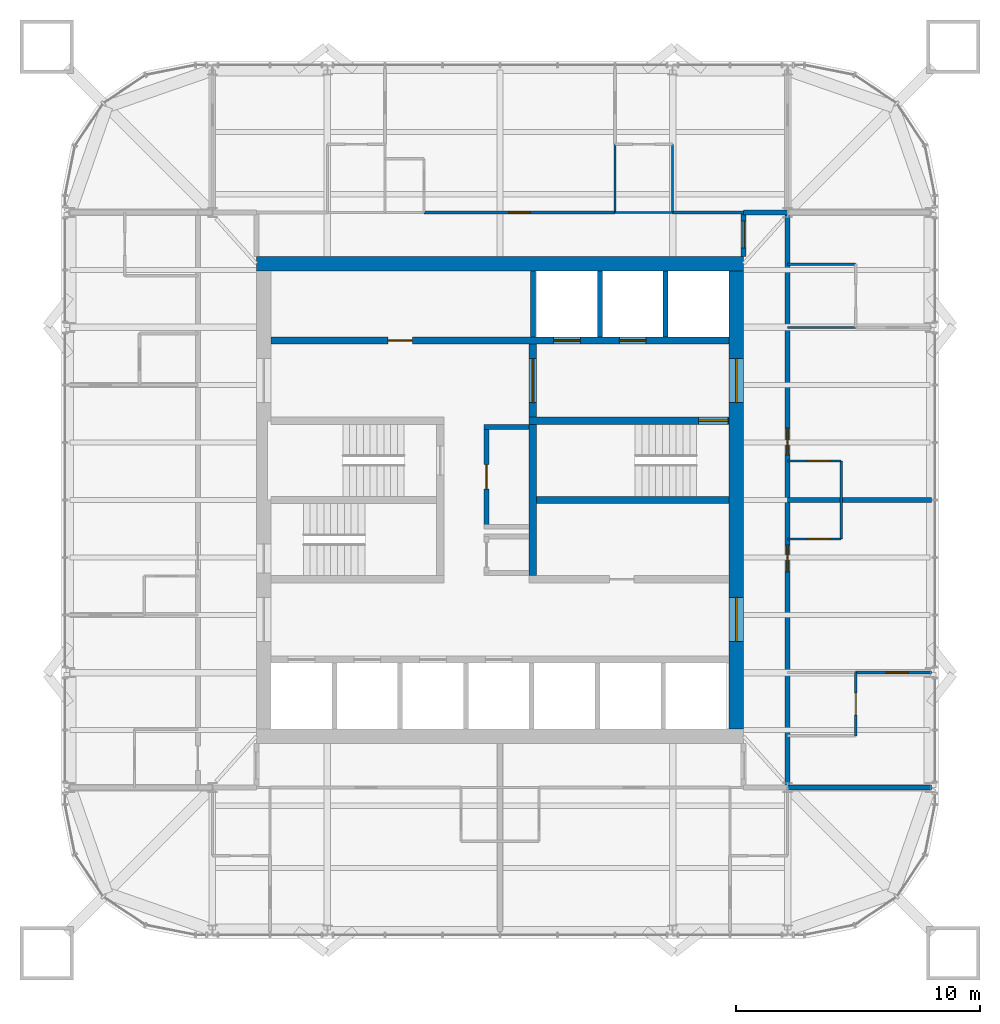
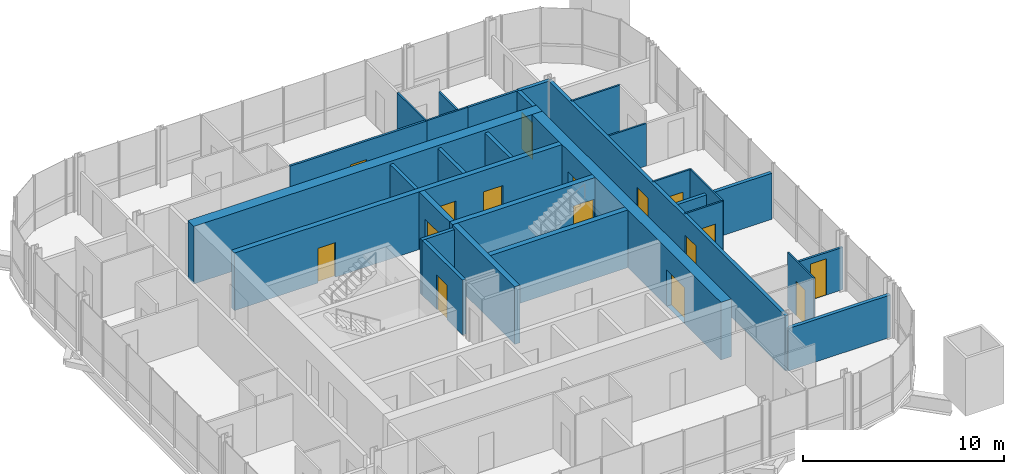
# One storey, part 15 of 17: 28 walls, 16 doors, 16 openings.
"""IFC4 building model written with IfcOpenShell, lengths in metres."""

from ifc_helpers import new_model, si_unit, direction, frame, frame_2d, origin, place, context, subcontext, project, spatial, rectangle, extrude, material, layer, layer_set, type_object, element, fill, save


model = new_model("IFC4")

# Units and contexts
model_context = context("Model", 3, precision=1e-05, world=origin(), true_north=direction((0.0, 1.0)))
body_context = subcontext(model_context, "Body", "Model", "MODEL_VIEW")
ifc_project = project(units=[si_unit("LENGTHUNIT", "METRE"), si_unit("AREAUNIT", "SQUARE_METRE"), si_unit("VOLUMEUNIT", "CUBIC_METRE"), si_unit("PLANEANGLEUNIT", "RADIAN"), si_unit("MASSUNIT", "GRAM", prefix="KILO")], contexts=[model_context])

# Site, building, storey
site_placement = place(None, origin())
site = spatial("IfcSite", under=ifc_project, at=site_placement, CompositionType="ELEMENT")
building_placement = place(site_placement, origin())
building = spatial("IfcBuilding", under=site, at=building_placement, Name="Turquesa Mirador Hotel Tower", CompositionType="ELEMENT")
storey_placement = place(building_placement, frame((0.0, 0.0, 240.699951171875)))
storey = spatial("IfcBuildingStorey", under=building, at=storey_placement, Name="L65", CompositionType="ELEMENT", Elevation=240.699951171875)

# Wall, opening, door
ifc_material_1 = material(Name="Gypsum board on steel studs", Category="steel")
ifc_layer_1 = layer(ifc_material_1, 0.10009765625)
ifc_layer_set_1 = layer_set([ifc_layer_1], Name="BATHROOM WALL 100")
wall_type_1 = type_object("IfcWallType", Name="BATHROOM WALL 100", PredefinedType="PARTITIONING", material=ifc_layer_set_1)
wall_1_placement = place(storey_placement, frame((66.800048828125, 43.39990234375, 0.0), z_axis=(0.0, 0.0, 1.0), x_axis=(1.0, 0.0, 0.0)))
wall_1 = element("IfcWall", 1, at=wall_1_placement, inside=storey, type_object=wall_type_1, Name="Partition L65 001", PredefinedType="PARTITIONING", context=body_context, shape_type="SweptSolid", body=[
    extrude(rectangle(XDim=2.199951171875, YDim=0.10009765625, at=frame_2d((1.10009765625, 0.0))), origin(), (0.0, 0.0, 1.0), 3.330078125),
])
opening_1_placement = place(wall_1_placement, frame((0.85009765625, 0.0, 0.0)))
opening_1 = element("IfcOpeningElement", 2, at=opening_1_placement, cuts=wall_1, Name="Opening D06", PredefinedType="OPENING", context=body_context, shape_type="SweptSolid", body=[
    extrude(rectangle(XDim=0.89990234375, YDim=2.10009765625, at=frame_2d((0.449951171875, 1.050048828125))), frame((0.0, 0.06005859375, 0.0), z_axis=(0.0, -1.0, 0.0), x_axis=(1.0, 0.0, 0.0)), (0.0, 0.0, 1.0), 0.1201171875),
])
ifc_material_2 = material(Name="Laminate door", Category="wood")
door_type_1 = type_object("IfcDoorType", Name="DOOR 900X2100 WC", OperationType="SINGLE_SWING_LEFT", PredefinedType="DOOR", material=ifc_material_2)
door_1_placement = place(opening_1_placement, origin())
door_1 = element("IfcDoor", 3, at=door_1_placement, inside=storey, type_object=door_type_1, Name="Door 6504W", OperationType="SINGLE_SWING_LEFT", OverallHeight=2.10009765625, OverallWidth=0.89990234375, PredefinedType="DOOR", context=body_context, shape_type="SweptSolid", body=[
    extrude(rectangle(XDim=0.89990234375, YDim=2.10009765625, at=frame_2d((0.449951171875, 1.050048828125))), frame((0.0, 0.02490234375, 0.0), z_axis=(0.0, -1.0, 0.0), x_axis=(1.0, 0.0, 0.0)), (0.0, 0.0, 1.0), 0.050048828125),
])
fill(opening_1, door_1)

wall_2_placement = place(storey_placement, frame((66.800048828125, 46.60009765625, 0.0), z_axis=(0.0, 0.0, 1.0), x_axis=(1.0, 0.0, 0.0)))
wall_2 = element("IfcWall", 4, at=wall_2_placement, inside=storey, type_object=wall_type_1, Name="Partition L65 022", PredefinedType="PARTITIONING", context=body_context, shape_type="SweptSolid", body=[
    extrude(rectangle(XDim=2.199951171875, YDim=0.10009765625, at=frame_2d((1.10009765625, 0.0))), origin(), (0.0, 0.0, 1.0), 3.330078125),
])
opening_2_placement = place(wall_2_placement, frame((0.85009765625, 0.0, 0.0)))
opening_2 = element("IfcOpeningElement", 5, at=opening_2_placement, cuts=wall_2, Name="Opening D06", PredefinedType="OPENING", context=body_context, shape_type="SweptSolid", body=[
    extrude(rectangle(XDim=0.89990234375, YDim=2.10009765625, at=frame_2d((0.449951171875, 1.050048828125))), frame((0.0, 0.06005859375, 0.0), z_axis=(0.0, -1.0, 0.0), x_axis=(1.0, 0.0, 0.0)), (0.0, 0.0, 1.0), 0.1201171875),
])
door_2_placement = place(opening_2_placement, origin())
door_2 = element("IfcDoor", 6, at=door_2_placement, inside=storey, type_object=door_type_1, Name="Door 6505W", OperationType="SINGLE_SWING_LEFT", OverallHeight=2.10009765625, OverallWidth=0.89990234375, PredefinedType="DOOR", context=body_context, shape_type="SweptSolid", body=[
    extrude(rectangle(XDim=0.89990234375, YDim=2.10009765625, at=frame_2d((0.449951171875, 1.050048828125))), frame((0.0, 0.02490234375, 0.0), z_axis=(0.0, -1.0, 0.0), x_axis=(1.0, 0.0, 0.0)), (0.0, 0.0, 1.0), 0.050048828125),
])
fill(opening_2, door_2)

# Walls
wall_3_placement = place(storey_placement, frame((59.719970703125, 56.800048828125, 0.0), z_axis=(0.0, 0.0, 1.0), x_axis=(1.0, 0.0, 0.0)))
element("IfcWall", 7, at=wall_3_placement, inside=storey, type_object=wall_type_1, Name="Partition L65 024", PredefinedType="PARTITIONING", context=body_context, shape_type="SweptSolid", body=[
    extrude(rectangle(XDim=2.360107421875, YDim=0.10009765625, at=frame_2d((1.18017578125, 0.0))), origin(), (0.0, 0.0, 1.0), 3.330078125),
])
wall_4_placement = place(storey_placement, frame((66.800048828125, 52.080078125, 0.0), z_axis=(0.0, 0.0, 1.0), x_axis=(1.0, 0.0, 0.0)))
element("IfcWall", 8, at=wall_4_placement, inside=storey, type_object=wall_type_1, Name="Partition L65 037", PredefinedType="PARTITIONING", context=body_context, shape_type="SweptSolid", body=[
    extrude(rectangle(XDim=2.800048828125, YDim=0.10009765625, at=frame_2d((1.39990234375, 0.0))), origin(), (0.0, 0.0, 1.0), 2.5732421875),
])
wall_5_placement = place(storey_placement, frame((66.800048828125, 54.679931640625, 0.0), z_axis=(0.0, 0.0, 1.0), x_axis=(1.0, 0.0, 0.0)))
element("IfcWall", 9, at=wall_5_placement, inside=storey, type_object=wall_type_1, Name="Partition L65 040", PredefinedType="PARTITIONING", context=body_context, shape_type="SweptSolid", body=[
    extrude(rectangle(XDim=2.800048828125, YDim=0.10009765625, at=frame_2d((1.39990234375, 0.0))), origin(), (0.0, 0.0, 1.0), 3.330078125),
])
wall_6_placement = place(storey_placement, frame((69.0, 43.39990234375, 0.0), z_axis=(0.0, 0.0, 1.0), x_axis=(0.0, 1.0, 0.0)))
element("IfcWall", 10, at=wall_6_placement, inside=storey, type_object=wall_type_1, Name="Partition L65 064", PredefinedType="PARTITIONING", context=body_context, shape_type="SweptSolid", body=[
    extrude(rectangle(XDim=3.2001953125, YDim=0.10009765625, at=frame_2d((1.60009765625, 0.0))), origin(), (0.0, 0.0, 1.0), 3.330078125),
])

# Wall, opening, door
wall_7_placement = place(storey_placement, frame((69.60009765625, 35.320068359375, 0.0), z_axis=(0.0, 0.0, 1.0), x_axis=(0.0, 1.0, 0.0)))
wall_7 = element("IfcWall", 11, at=wall_7_placement, inside=storey, type_object=wall_type_1, Name="Partition L65 065", PredefinedType="PARTITIONING", context=body_context, shape_type="SweptSolid", body=[
    extrude(rectangle(XDim=2.599853515625, YDim=0.10009765625, at=frame_2d((1.2998046875, 0.0))), origin(), (0.0, 0.0, 1.0), 3.330078125),
])
opening_3_placement = place(wall_7_placement, frame((0.85009765625, 0.0, 0.0)))
opening_3 = element("IfcOpeningElement", 12, at=opening_3_placement, cuts=wall_7, Name="Opening D02", PredefinedType="OPENING", context=body_context, shape_type="SweptSolid", body=[
    extrude(rectangle(XDim=0.89990234375, YDim=2.10009765625, at=frame_2d((0.449951171875, 1.050048828125))), frame((0.0, 0.06005859375, 0.0), z_axis=(0.0, -1.0, 0.0), x_axis=(1.0, 0.0, 0.0)), (0.0, 0.0, 1.0), 0.1201171875),
])
ifc_material_3 = material(Name="Timber veneered door", Category="wood")
door_type_2 = type_object("IfcDoorType", Name="DOOR 900X2100 EN-SUITE", OperationType="SINGLE_SWING_RIGHT", PredefinedType="DOOR", material=ifc_material_3)
door_3_placement = place(opening_3_placement, origin())
door_3 = element("IfcDoor", 13, at=door_3_placement, inside=storey, type_object=door_type_2, Name="Door 6504B", OperationType="SINGLE_SWING_RIGHT", OverallHeight=2.10009765625, OverallWidth=0.89990234375, PredefinedType="DOOR", context=body_context, shape_type="SweptSolid", body=[
    extrude(rectangle(XDim=0.89990234375, YDim=2.10009765625, at=frame_2d((0.449951171875, 1.050048828125))), frame((0.0, 0.02490234375, 0.0), z_axis=(0.0, -1.0, 0.0), x_axis=(1.0, 0.0, 0.0)), (0.0, 0.0, 1.0), 0.050048828125),
])
fill(opening_3, door_3)

# Walls
wall_8_placement = place(storey_placement, frame((59.719970703125, 56.800048828125, 0.0), z_axis=(0.0, 0.0, 1.0), x_axis=(0.0, 1.0, 0.0)))
element("IfcWall", 14, at=wall_8_placement, inside=storey, type_object=wall_type_1, Name="Partition L65 067", PredefinedType="PARTITIONING", context=body_context, shape_type="SweptSolid", body=[
    extrude(rectangle(XDim=2.800048828125, YDim=0.10009765625, at=frame_2d((1.39990234375, 0.0))), origin(), (0.0, 0.0, 1.0), 3.330078125),
])
wall_9_placement = place(storey_placement, frame((62.080078125, 56.800048828125, 0.0), z_axis=(0.0, 0.0, 1.0), x_axis=(0.0, 1.0, 0.0)))
element("IfcWall", 15, at=wall_9_placement, inside=storey, type_object=wall_type_1, Name="Partition L65 069", PredefinedType="PARTITIONING", context=body_context, shape_type="SweptSolid", body=[
    extrude(rectangle(XDim=2.800048828125, YDim=0.10009765625, at=frame_2d((1.39990234375, 0.0))), origin(), (0.0, 0.0, 1.0), 2.5732421875),
])

# Wall, openings, doors
ifc_material_4 = material(Name="Concrete C50/60", Category="concrete")
ifc_layer_2 = layer(ifc_material_4, 0.300048828125)
ifc_layer_set_2 = layer_set([ifc_layer_2], Name="CORE INNER WALL 300")
wall_type_2 = type_object("IfcWallType", Name="CORE INNER WALL 300", PredefinedType="SHEAR", material=ifc_layer_set_2)
wall_10_placement = place(storey_placement, frame((45.60009765625, 51.550048828125, 0.0), z_axis=(0.0, 0.0, 1.0), x_axis=(1.0, 0.0, 0.0)))
wall_10 = element("IfcWall", 16, at=wall_10_placement, inside=storey, type_object=wall_type_2, Name="Core wall NL", PredefinedType="SHEAR", context=body_context, shape_type="SweptSolid", body=[
    extrude(rectangle(XDim=18.7998046875, YDim=0.300048828125, at=frame_2d((9.39990234375, 0.0))), origin(), (0.0, 0.0, 1.0), 3.5),
])
opening_4_placement = place(wall_10_placement, frame((4.800048828125, 0.0, 0.0)))
opening_4 = element("IfcOpeningElement", 17, at=opening_4_placement, cuts=wall_10, Name="Opening D05", PredefinedType="OPENING", context=body_context, shape_type="SweptSolid", body=[
    extrude(rectangle(XDim=1.0, YDim=2.10009765625, at=frame_2d((0.5, 1.050048828125))), frame((0.0, 0.159912109375, 0.0), z_axis=(0.0, -1.0, 0.0), x_axis=(1.0, 0.0, 0.0)), (0.0, 0.0, 1.0), 0.320068359375),
])
opening_5_placement = place(wall_10_placement, frame((11.60009765625, 0.0, 0.0)))
opening_5 = element("IfcOpeningElement", 18, at=opening_5_placement, cuts=wall_10, Name="Opening LD", PredefinedType="OPENING", context=body_context, shape_type="SweptSolid", body=[
    extrude(rectangle(XDim=1.10009765625, YDim=2.199951171875, at=frame_2d((0.550048828125, 1.10009765625))), frame((0.0, 0.159912109375, 0.0), z_axis=(0.0, -1.0, 0.0), x_axis=(1.0, 0.0, 0.0)), (0.0, 0.0, 1.0), 0.320068359375),
])
opening_6_placement = place(wall_10_placement, frame((14.300048828125, 0.0, 0.0)))
opening_6 = element("IfcOpeningElement", 19, at=opening_6_placement, cuts=wall_10, Name="Opening LD", PredefinedType="OPENING", context=body_context, shape_type="SweptSolid", body=[
    extrude(rectangle(XDim=1.10009765625, YDim=2.199951171875, at=frame_2d((0.550048828125, 1.10009765625))), frame((0.0, 0.159912109375, 0.0), z_axis=(0.0, -1.0, 0.0), x_axis=(1.0, 0.0, 0.0)), (0.0, 0.0, 1.0), 0.320068359375),
])
ifc_material_5 = material(Name="Steel fire door", Category="steel")
door_type_3 = type_object("IfcDoorType", Name="DOOR 1000X2100 SERVICE", OperationType="SINGLE_SWING_LEFT", PredefinedType="DOOR", material=ifc_material_5)
door_4_placement = place(opening_4_placement, origin())
door_4 = element("IfcDoor", 20, at=door_4_placement, inside=storey, type_object=door_type_3, Name="Linen store door", OperationType="SINGLE_SWING_LEFT", OverallHeight=2.10009765625, OverallWidth=1.0, PredefinedType="DOOR", context=body_context, shape_type="SweptSolid", body=[
    extrude(rectangle(XDim=1.0, YDim=2.10009765625, at=frame_2d((0.5, 1.050048828125))), frame((0.0, 0.02490234375, 0.0), z_axis=(0.0, -1.0, 0.0), x_axis=(1.0, 0.0, 0.0)), (0.0, 0.0, 1.0), 0.050048828125),
])
fill(opening_4, door_4)
ifc_material_6 = material(Name="Stainless steel lift landing door", Category="steel")
door_type_4 = type_object("IfcDoorType", Name="LIFT LANDING DOOR 1100X2200", OperationType="SLIDING_TO_LEFT", PredefinedType="DOOR", material=ifc_material_6)
door_5_placement = place(opening_5_placement, origin())
door_5 = element("IfcDoor", 21, at=door_5_placement, inside=storey, type_object=door_type_4, Name="Lift S1 landing door", OperationType="SLIDING_TO_LEFT", OverallHeight=2.199951171875, OverallWidth=1.10009765625, PredefinedType="DOOR", context=body_context, shape_type="SweptSolid", body=[
    extrude(rectangle(XDim=1.10009765625, YDim=2.199951171875, at=frame_2d((0.550048828125, 1.10009765625))), frame((0.0, 0.02490234375, 0.0), z_axis=(0.0, -1.0, 0.0), x_axis=(1.0, 0.0, 0.0)), (0.0, 0.0, 1.0), 0.050048828125),
])
fill(opening_5, door_5)
door_6_placement = place(opening_6_placement, origin())
door_6 = element("IfcDoor", 22, at=door_6_placement, inside=storey, type_object=door_type_4, Name="Lift S2 landing door", OperationType="SLIDING_TO_LEFT", OverallHeight=2.199951171875, OverallWidth=1.10009765625, PredefinedType="DOOR", context=body_context, shape_type="SweptSolid", body=[
    extrude(rectangle(XDim=1.10009765625, YDim=2.199951171875, at=frame_2d((0.550048828125, 1.10009765625))), frame((0.0, 0.02490234375, 0.0), z_axis=(0.0, -1.0, 0.0), x_axis=(1.0, 0.0, 0.0)), (0.0, 0.0, 1.0), 0.050048828125),
])
fill(opening_6, door_6)

# Wall, opening, door
wall_11_placement = place(storey_placement, frame((56.199951171875, 48.25, 0.0), z_axis=(0.0, 0.0, 1.0), x_axis=(1.0, 0.0, 0.0)))
wall_11 = element("IfcWall", 23, at=wall_11_placement, inside=storey, type_object=wall_type_2, Name="Core wall MN-E", PredefinedType="SHEAR", context=body_context, shape_type="SweptSolid", body=[
    extrude(rectangle(XDim=8.199951171875, YDim=0.300048828125, at=frame_2d((4.10009765625, 0.0))), origin(), (0.0, 0.0, 1.0), 3.5),
])
opening_7_placement = place(wall_11_placement, frame((6.949951171875, 0.0, 0.0)))
opening_7 = element("IfcOpeningElement", 24, at=opening_7_placement, cuts=wall_11, Name="Opening D03", PredefinedType="OPENING", context=body_context, shape_type="SweptSolid", body=[
    extrude(rectangle(XDim=1.199951171875, YDim=2.199951171875, at=frame_2d((0.60009765625, 1.10009765625))), frame((0.0, 0.159912109375, 0.0), z_axis=(0.0, -1.0, 0.0), x_axis=(1.0, 0.0, 0.0)), (0.0, 0.0, 1.0), 0.320068359375),
])
ifc_material_7 = material(Name="Steel fire door", Category="steel")
door_type_5 = type_object("IfcDoorType", Name="DOOR 1200X2200 STAIR", OperationType="SINGLE_SWING_LEFT", PredefinedType="DOOR", material=ifc_material_7)
door_7_placement = place(opening_7_placement, origin())
door_7 = element("IfcDoor", 25, at=door_7_placement, inside=storey, type_object=door_type_5, Name="Stair ST3 door", OperationType="SINGLE_SWING_LEFT", OverallHeight=2.199951171875, OverallWidth=1.199951171875, PredefinedType="DOOR", context=body_context, shape_type="SweptSolid", body=[
    extrude(rectangle(XDim=1.199951171875, YDim=2.199951171875, at=frame_2d((0.60009765625, 1.10009765625))), frame((0.0, 0.02490234375, 0.0), z_axis=(0.0, -1.0, 0.0), x_axis=(1.0, 0.0, 0.0)), (0.0, 0.0, 1.0), 0.050048828125),
])
fill(opening_7, door_7)

wall_12_placement = place(storey_placement, frame((56.35009765625, 41.89990234375, 0.0), z_axis=(0.0, 0.0, 1.0), x_axis=(0.0, 1.0, 0.0)))
wall_12 = element("IfcWall", 26, at=wall_12_placement, inside=storey, type_object=wall_type_2, Name="Core wall PE", PredefinedType="SHEAR", context=body_context, shape_type="SweptSolid", body=[
    extrude(rectangle(XDim=9.5, YDim=0.300048828125, at=frame_2d((4.75, 0.0))), origin(), (0.0, 0.0, 1.0), 3.5),
])
opening_8_placement = place(wall_12_placement, frame((7.10009765625, 0.0, 0.0)))
opening_8 = element("IfcOpeningElement", 27, at=opening_8_placement, cuts=wall_12, Name="Opening D04", PredefinedType="OPENING", context=body_context, shape_type="SweptSolid", body=[
    extrude(rectangle(XDim=1.800048828125, YDim=2.199951171875, at=frame_2d((0.89990234375, 1.10009765625))), frame((0.0, 0.159912109375, 0.0), z_axis=(0.0, -1.0, 0.0), x_axis=(1.0, 0.0, 0.0)), (0.0, 0.0, 1.0), 0.320068359375),
])
ifc_material_8 = material(Name="Steel fire door pair", Category="steel")
door_type_6 = type_object("IfcDoorType", Name="DOOR 1800X2200 PAIR", OperationType="DOUBLE_DOOR_SINGLE_SWING", PredefinedType="DOOR", material=ifc_material_8)
door_8_placement = place(opening_8_placement, origin())
door_8 = element("IfcDoor", 28, at=door_8_placement, inside=storey, type_object=door_type_6, Name="Firefighting lobby inner door", OperationType="DOUBLE_DOOR_SINGLE_SWING", OverallHeight=2.199951171875, OverallWidth=1.800048828125, PredefinedType="DOOR", context=body_context, shape_type="SweptSolid", body=[
    extrude(rectangle(XDim=1.800048828125, YDim=2.199951171875, at=frame_2d((0.89990234375, 1.10009765625))), frame((0.0, 0.02490234375, 0.0), z_axis=(0.0, -1.0, 0.0), x_axis=(1.0, 0.0, 0.0)), (0.0, 0.0, 1.0), 0.050048828125),
])
fill(opening_8, door_8)

# Walls
wall_13_placement = place(storey_placement, frame((56.5, 45.0, 0.0), z_axis=(0.0, 0.0, 1.0), x_axis=(1.0, 0.0, 0.0)))
element("IfcWall", 29, at=wall_13_placement, inside=storey, type_object=wall_type_2, Name="Core wall M0-E", PredefinedType="SHEAR", context=body_context, shape_type="SweptSolid", body=[
    extrude(rectangle(XDim=7.89990234375, YDim=0.300048828125, at=frame_2d((3.949951171875, 0.0))), origin(), (0.0, 0.0, 1.0), 3.5),
])
ifc_material_9 = material(Name="Concrete C50/60", Category="concrete")
ifc_layer_3 = layer(ifc_material_9, 0.60009765625)
ifc_layer_set_3 = layer_set([ifc_layer_3], Name="CORE WALL 600")
wall_type_3 = type_object("IfcWallType", Name="CORE WALL 600", PredefinedType="SHEAR", material=ifc_layer_set_3)
wall_14_placement = place(storey_placement, frame((45.0, 54.699951171875, 0.0), z_axis=(0.0, 0.0, 1.0), x_axis=(1.0, 0.0, 0.0)))
element("IfcWall", 30, at=wall_14_placement, inside=storey, type_object=wall_type_3, Name="Core wall N", PredefinedType="SHEAR", context=body_context, shape_type="SweptSolid", body=[
    extrude(rectangle(XDim=20.0, YDim=0.60009765625, at=frame_2d((10.0, 0.0))), origin(), (0.0, 0.0, 1.0), 3.5),
])

# Wall, openings, doors
wall_15_placement = place(storey_placement, frame((64.699951171875, 35.60009765625, 0.0), z_axis=(0.0, 0.0, 1.0), x_axis=(0.0, 1.0, 0.0)))
wall_15 = element("IfcWall", 31, at=wall_15_placement, inside=storey, type_object=wall_type_3, Name="Core wall E", PredefinedType="SHEAR", context=body_context, shape_type="SweptSolid", body=[
    extrude(rectangle(XDim=18.7998046875, YDim=0.60009765625, at=frame_2d((9.39990234375, 0.0))), origin(), (0.0, 0.0, 1.0), 3.5),
])
opening_9_placement = place(wall_15_placement, frame((13.39990234375, 0.0, 0.0)))
opening_9 = element("IfcOpeningElement", 32, at=opening_9_placement, cuts=wall_15, Name="Opening D04", PredefinedType="OPENING", context=body_context, shape_type="SweptSolid", body=[
    extrude(rectangle(XDim=1.800048828125, YDim=2.199951171875, at=frame_2d((0.89990234375, 1.10009765625))), frame((0.0, 0.31005859375, 0.0), z_axis=(0.0, -1.0, 0.0), x_axis=(1.0, 0.0, 0.0)), (0.0, 0.0, 1.0), 0.6201171875),
])
opening_10_placement = place(wall_15_placement, frame((3.60009765625, 0.0, 0.0)))
opening_10 = element("IfcOpeningElement", 33, at=opening_10_placement, cuts=wall_15, Name="Opening D04", PredefinedType="OPENING", context=body_context, shape_type="SweptSolid", body=[
    extrude(rectangle(XDim=1.800048828125, YDim=2.199951171875, at=frame_2d((0.89990234375, 1.10009765625))), frame((0.0, 0.31005859375, 0.0), z_axis=(0.0, -1.0, 0.0), x_axis=(1.0, 0.0, 0.0)), (0.0, 0.0, 1.0), 0.6201171875),
])
door_9_placement = place(opening_9_placement, origin())
door_9 = element("IfcDoor", 34, at=door_9_placement, inside=storey, type_object=door_type_6, Name="Firefighting lobby door", OperationType="DOUBLE_DOOR_SINGLE_SWING", OverallHeight=2.199951171875, OverallWidth=1.800048828125, PredefinedType="DOOR", context=body_context, shape_type="SweptSolid", body=[
    extrude(rectangle(XDim=1.800048828125, YDim=2.199951171875, at=frame_2d((0.89990234375, 1.10009765625))), frame((0.0, 0.02490234375, 0.0), z_axis=(0.0, -1.0, 0.0), x_axis=(1.0, 0.0, 0.0)), (0.0, 0.0, 1.0), 0.050048828125),
])
fill(opening_9, door_9)
door_10_placement = place(opening_10_placement, origin())
door_10 = element("IfcDoor", 35, at=door_10_placement, inside=storey, type_object=door_type_6, Name="South lift lobby door", OperationType="DOUBLE_DOOR_SINGLE_SWING", OverallHeight=2.199951171875, OverallWidth=1.800048828125, PredefinedType="DOOR", context=body_context, shape_type="SweptSolid", body=[
    extrude(rectangle(XDim=1.800048828125, YDim=2.199951171875, at=frame_2d((0.89990234375, 1.10009765625))), frame((0.0, 0.02490234375, 0.0), z_axis=(0.0, -1.0, 0.0), x_axis=(1.0, 0.0, 0.0)), (0.0, 0.0, 1.0), 0.050048828125),
])
fill(opening_10, door_10)

# Wall
ifc_material_10 = material(Name="Fire-rated gypsum board on steel studs", Category="steel")
ifc_layer_4 = layer(ifc_material_10, 0.199951171875)
ifc_layer_set_4 = layer_set([ifc_layer_4], Name="CORRIDOR WALL 200")
wall_type_4 = type_object("IfcWallType", Name="CORRIDOR WALL 200", PredefinedType="PARTITIONING", material=ifc_layer_set_4)
wall_16_placement = place(storey_placement, frame((65.0, 56.800048828125, 0.0), z_axis=(0.0, 0.0, 1.0), x_axis=(1.0, 0.0, 0.0)))
element("IfcWall", 36, at=wall_16_placement, inside=storey, type_object=wall_type_4, Name="Partition L65 026", PredefinedType="PARTITIONING", context=body_context, shape_type="SweptSolid", body=[
    extrude(rectangle(XDim=1.800048828125, YDim=0.199951171875, at=frame_2d((0.89990234375, 0.0))), origin(), (0.0, 0.0, 1.0), 3.330078125),
])

# Wall, opening, door
wall_17_placement = place(storey_placement, frame((65.0, 55.0, 0.0), z_axis=(0.0, 0.0, 1.0), x_axis=(0.0, 1.0, 0.0)))
wall_17 = element("IfcWall", 37, at=wall_17_placement, inside=storey, type_object=wall_type_4, Name="Partition L65 060", PredefinedType="PARTITIONING", context=body_context, shape_type="SweptSolid", body=[
    extrude(rectangle(XDim=1.800048828125, YDim=0.199951171875, at=frame_2d((0.89990234375, 0.0))), origin(), (0.0, 0.0, 1.0), 3.330078125),
])
opening_11_placement = place(wall_17_placement, frame((0.35009765625, 0.0, 0.0)))
opening_11 = element("IfcOpeningElement", 38, at=opening_11_placement, cuts=wall_17, Name="Opening D15", PredefinedType="OPENING", context=body_context, shape_type="SweptSolid", body=[
    extrude(rectangle(XDim=1.10009765625, YDim=2.199951171875, at=frame_2d((0.550048828125, 1.10009765625))), frame((0.0, 0.10986328125, 0.0), z_axis=(0.0, -1.0, 0.0), x_axis=(1.0, 0.0, 0.0)), (0.0, 0.0, 1.0), 0.219970703125),
])
ifc_material_11 = material(Name="Timber veneered fire door", Category="wood")
door_type_7 = type_object("IfcDoorType", Name="DOOR 1100X2200 SUITE ENTRY", OperationType="SINGLE_SWING_LEFT", PredefinedType="DOOR", material=ifc_material_11)
door_11_placement = place(opening_11_placement, origin())
door_11 = element("IfcDoor", 39, at=door_11_placement, inside=storey, type_object=door_type_7, Name="Door 6501G", OperationType="SINGLE_SWING_LEFT", OverallHeight=2.199951171875, OverallWidth=1.10009765625, PredefinedType="DOOR", context=body_context, shape_type="SweptSolid", body=[
    extrude(rectangle(XDim=1.10009765625, YDim=2.199951171875, at=frame_2d((0.550048828125, 1.10009765625))), frame((0.0, 0.02490234375, 0.0), z_axis=(0.0, -1.0, 0.0), x_axis=(1.0, 0.0, 0.0)), (0.0, 0.0, 1.0), 0.050048828125),
])
fill(opening_11, door_11)

# Wall, openings, doors
wall_18_placement = place(storey_placement, frame((66.800048828125, 33.199951171875, 0.0), z_axis=(0.0, 0.0, 1.0), x_axis=(0.0, 1.0, 0.0)))
wall_18 = element("IfcWall", 40, at=wall_18_placement, inside=storey, type_object=wall_type_4, Name="Partition L65 062", PredefinedType="PARTITIONING", context=body_context, shape_type="SweptSolid", body=[
    extrude(rectangle(XDim=23.60009765625, YDim=0.199951171875, at=frame_2d((11.800048828125, 0.0))), origin(), (0.0, 0.0, 1.0), 3.330078125),
])
opening_12_placement = place(wall_18_placement, frame((8.85009765625, 0.0, 0.0)))
opening_12 = element("IfcOpeningElement", 41, at=opening_12_placement, cuts=wall_18, Name="Opening D15", PredefinedType="OPENING", context=body_context, shape_type="SweptSolid", body=[
    extrude(rectangle(XDim=1.10009765625, YDim=2.199951171875, at=frame_2d((0.550048828125, 1.10009765625))), frame((0.0, 0.10986328125, 0.0), z_axis=(0.0, -1.0, 0.0), x_axis=(1.0, 0.0, 0.0)), (0.0, 0.0, 1.0), 0.219970703125),
])
opening_13_placement = place(wall_18_placement, frame((13.64990234375, 0.0, 0.0)))
opening_13 = element("IfcOpeningElement", 42, at=opening_13_placement, cuts=wall_18, Name="Opening D15", PredefinedType="OPENING", context=body_context, shape_type="SweptSolid", body=[
    extrude(rectangle(XDim=1.10009765625, YDim=2.199951171875, at=frame_2d((0.550048828125, 1.10009765625))), frame((0.0, 0.10986328125, 0.0), z_axis=(0.0, -1.0, 0.0), x_axis=(1.0, 0.0, 0.0)), (0.0, 0.0, 1.0), 0.219970703125),
])
door_12_placement = place(opening_12_placement, origin())
door_12 = element("IfcDoor", 43, at=door_12_placement, inside=storey, type_object=door_type_7, Name="Door 6504", OperationType="SINGLE_SWING_LEFT", OverallHeight=2.199951171875, OverallWidth=1.10009765625, PredefinedType="DOOR", context=body_context, shape_type="SweptSolid", body=[
    extrude(rectangle(XDim=1.10009765625, YDim=2.199951171875, at=frame_2d((0.550048828125, 1.10009765625))), frame((0.0, 0.02490234375, 0.0), z_axis=(0.0, -1.0, 0.0), x_axis=(1.0, 0.0, 0.0)), (0.0, 0.0, 1.0), 0.050048828125),
])
fill(opening_12, door_12)
door_13_placement = place(opening_13_placement, origin())
door_13 = element("IfcDoor", 44, at=door_13_placement, inside=storey, type_object=door_type_7, Name="Door 6505", OperationType="SINGLE_SWING_LEFT", OverallHeight=2.199951171875, OverallWidth=1.10009765625, PredefinedType="DOOR", context=body_context, shape_type="SweptSolid", body=[
    extrude(rectangle(XDim=1.10009765625, YDim=2.199951171875, at=frame_2d((0.550048828125, 1.10009765625))), frame((0.0, 0.02490234375, 0.0), z_axis=(0.0, -1.0, 0.0), x_axis=(1.0, 0.0, 0.0)), (0.0, 0.0, 1.0), 0.050048828125),
])
fill(opening_13, door_13)

# Wall, opening, door
ifc_material_12 = material(Name="Fire-rated gypsum board on steel studs", Category="steel")
ifc_layer_5 = layer(ifc_material_12, 0.199951171875)
ifc_layer_set_5 = layer_set([ifc_layer_5], Name="FIRE PARTITION 200")
wall_type_5 = type_object("IfcWallType", Name="FIRE PARTITION 200", PredefinedType="PARTITIONING", material=ifc_layer_set_5)
wall_19_placement = place(storey_placement, frame((54.449951171875, 43.89990234375, 0.0), z_axis=(0.0, 0.0, 1.0), x_axis=(0.0, 1.0, 0.0)))
wall_19 = element("IfcWall", 45, at=wall_19_placement, inside=storey, type_object=wall_type_5, Name="Partition L65 VR W", PredefinedType="PARTITIONING", context=body_context, shape_type="SweptSolid", body=[
    extrude(rectangle(XDim=4.10009765625, YDim=0.199951171875, at=frame_2d((2.050048828125, 0.0))), origin(), (0.0, 0.0, 1.0), 3.330078125),
])
opening_14_placement = place(wall_19_placement, frame((1.550048828125, 0.0, 0.0)))
opening_14 = element("IfcOpeningElement", 46, at=opening_14_placement, cuts=wall_19, Name="Opening D05", PredefinedType="OPENING", context=body_context, shape_type="SweptSolid", body=[
    extrude(rectangle(XDim=1.0, YDim=2.10009765625, at=frame_2d((0.5, 1.050048828125))), frame((0.0, 0.10986328125, 0.0), z_axis=(0.0, -1.0, 0.0), x_axis=(1.0, 0.0, 0.0)), (0.0, 0.0, 1.0), 0.219970703125),
])
door_14_placement = place(opening_14_placement, origin())
door_14 = element("IfcDoor", 47, at=door_14_placement, inside=storey, type_object=door_type_3, Name="Valet room door", OperationType="SINGLE_SWING_LEFT", OverallHeight=2.10009765625, OverallWidth=1.0, PredefinedType="DOOR", context=body_context, shape_type="SweptSolid", body=[
    extrude(rectangle(XDim=1.0, YDim=2.10009765625, at=frame_2d((0.5, 1.050048828125))), frame((0.0, 0.02490234375, 0.0), z_axis=(0.0, -1.0, 0.0), x_axis=(1.0, 0.0, 0.0)), (0.0, 0.0, 1.0), 0.050048828125),
])
fill(opening_14, door_14)

# Walls
wall_20_placement = place(storey_placement, frame((54.35009765625, 48.0, 0.0), z_axis=(0.0, 0.0, 1.0), x_axis=(1.0, 0.0, 0.0)))
element("IfcWall", 48, at=wall_20_placement, inside=storey, type_object=wall_type_5, Name="Partition L65 VR N", PredefinedType="PARTITIONING", context=body_context, shape_type="SweptSolid", body=[
    extrude(rectangle(XDim=1.849853515625, YDim=0.199951171875, at=frame_2d((0.9248046875, 0.0))), origin(), (0.0, 0.0, 1.0), 3.330078125),
])
ifc_material_13 = material(Name="Fire-rated gypsum shaft wall on steel studs", Category="steel")
ifc_layer_6 = layer(ifc_material_13, 0.199951171875)
ifc_layer_set_6 = layer_set([ifc_layer_6], Name="LIFT SHAFT DIVIDER 200")
wall_type_6 = type_object("IfcWallType", Name="LIFT SHAFT DIVIDER 200", PredefinedType="PARTITIONING", material=ifc_layer_set_6)
for number, where, z_axis, x_axis, name in (
    (49, (59.10009765625, 51.699951171875, 0.0), (0.0, 0.0, 1.0), (0.0, 1.0, 0.0), "Lift shaft divider"),
    (50, (61.800048828125, 51.699951171875, 0.0), (0.0, 0.0, 1.0), (0.0, 1.0, 0.0), "Lift shaft divider"),
    (51, (56.35009765625, 51.699951171875, 0.0), (0.0, 0.0, 1.0), (0.0, 1.0, 0.0), "Lift shaft divider"),
):
    element("IfcWall", number, at=place(storey_placement, frame(where, z_axis=z_axis, x_axis=x_axis)), inside=storey, type_object=wall_type_6, Name=name, PredefinedType="PARTITIONING", context=body_context, shape_type="SweptSolid", body=[
        extrude(rectangle(XDim=2.699951171875, YDim=0.199951171875, at=frame_2d((1.35009765625, 0.0))), origin(), (0.0, 0.0, 1.0), 3.330078125),
    ])
ifc_material_14 = material(Name="Fire-rated gypsum board on steel studs", Category="steel")
ifc_layer_7 = layer(ifc_material_14, 0.199951171875)
ifc_layer_set_7 = layer_set([ifc_layer_7], Name="PARTY WALL 200")
wall_type_7 = type_object("IfcWallType", Name="PARTY WALL 200", PredefinedType="PARTITIONING", material=ifc_layer_set_7)
wall_21_placement = place(storey_placement, frame((66.800048828125, 33.199951171875, 0.0), z_axis=(0.0, 0.0, 1.0), x_axis=(1.0, 0.0, 0.0)))
element("IfcWall", 52, at=wall_21_placement, inside=storey, type_object=wall_type_7, Name="Partition L65 008", PredefinedType="PARTITIONING", context=body_context, shape_type="SweptSolid", body=[
    extrude(rectangle(XDim=5.89990234375, YDim=0.199951171875, at=frame_2d((2.949951171875, 0.0))), origin(), (0.0, 0.0, 1.0), 2.5732421875),
])
wall_22_placement = place(storey_placement, frame((66.800048828125, 45.0, 0.0), z_axis=(0.0, 0.0, 1.0), x_axis=(1.0, 0.0, 0.0)))
element("IfcWall", 53, at=wall_22_placement, inside=storey, type_object=wall_type_7, Name="Partition L65 021", PredefinedType="PARTITIONING", context=body_context, shape_type="SweptSolid", body=[
    extrude(rectangle(XDim=5.89990234375, YDim=0.199951171875, at=frame_2d((2.949951171875, 0.0))), origin(), (0.0, 0.0, 1.0), 2.796630859375),
])

# Wall, opening, door
ifc_material_15 = material(Name="Acoustic gypsum board on steel studs", Category="steel")
ifc_layer_8 = layer(ifc_material_15, 0.125)
ifc_layer_set_8 = layer_set([ifc_layer_8], Name="SUITE PARTITION 125")
wall_type_8 = type_object("IfcWallType", Name="SUITE PARTITION 125", PredefinedType="PARTITIONING", material=ifc_layer_set_8)
wall_23_placement = place(storey_placement, frame((69.60009765625, 37.919921875, 0.0), z_axis=(0.0, 0.0, 1.0), x_axis=(1.0, 0.0, 0.0)))
wall_23 = element("IfcWall", 54, at=wall_23_placement, inside=storey, type_object=wall_type_8, Name="Partition L65 018", PredefinedType="PARTITIONING", context=body_context, shape_type="SweptSolid", body=[
    extrude(rectangle(XDim=3.099853515625, YDim=0.125, at=frame_2d((1.5498046875, 0.0))), origin(), (0.0, 0.0, 1.0), 2.5732421875),
])
opening_15_placement = place(wall_23_placement, frame((1.25, 0.0, 0.0)))
opening_15 = element("IfcOpeningElement", 55, at=opening_15_placement, cuts=wall_23, Name="Opening D17", PredefinedType="OPENING", context=body_context, shape_type="SweptSolid", body=[
    extrude(rectangle(XDim=0.89990234375, YDim=2.199951171875, at=frame_2d((0.449951171875, 1.10009765625))), frame((0.0, 0.072509765625, 0.0), z_axis=(0.0, -1.0, 0.0), x_axis=(1.0, 0.0, 0.0)), (0.0, 0.0, 1.0), 0.14501953125),
])
ifc_material_16 = material(Name="Timber veneered door", Category="wood")
door_type_8 = type_object("IfcDoorType", Name="DOOR 900X2200 SUITE INTERNAL", OperationType="SINGLE_SWING_LEFT", PredefinedType="DOOR", material=ifc_material_16)
door_15_placement = place(opening_15_placement, origin())
door_15 = element("IfcDoor", 56, at=door_15_placement, inside=storey, type_object=door_type_8, Name="Door 6504R", OperationType="SINGLE_SWING_LEFT", OverallHeight=2.199951171875, OverallWidth=0.89990234375, PredefinedType="DOOR", context=body_context, shape_type="SweptSolid", body=[
    extrude(rectangle(XDim=0.89990234375, YDim=2.199951171875, at=frame_2d((0.449951171875, 1.10009765625))), frame((0.0, 0.02490234375, 0.0), z_axis=(0.0, -1.0, 0.0), x_axis=(1.0, 0.0, 0.0)), (0.0, 0.0, 1.0), 0.050048828125),
])
fill(opening_15, door_15)

wall_24_placement = place(storey_placement, frame((51.8798828125, 56.800048828125, 0.0), z_axis=(0.0, 0.0, 1.0), x_axis=(1.0, 0.0, 0.0)))
wall_24 = element("IfcWall", 57, at=wall_24_placement, inside=storey, type_object=wall_type_8, Name="Partition L65 030", PredefinedType="PARTITIONING", context=body_context, shape_type="SweptSolid", body=[
    extrude(rectangle(XDim=7.840087890625, YDim=0.125, at=frame_2d((3.919921875, 0.0))), origin(), (0.0, 0.0, 1.0), 3.330078125),
])
opening_16_placement = place(wall_24_placement, frame((3.469970703125, 0.0, 0.0)))
opening_16 = element("IfcOpeningElement", 58, at=opening_16_placement, cuts=wall_24, Name="Opening D17", PredefinedType="OPENING", context=body_context, shape_type="SweptSolid", body=[
    extrude(rectangle(XDim=0.89990234375, YDim=2.199951171875, at=frame_2d((0.449951171875, 1.10009765625))), frame((0.0, 0.072509765625, 0.0), z_axis=(0.0, -1.0, 0.0), x_axis=(1.0, 0.0, 0.0)), (0.0, 0.0, 1.0), 0.14501953125),
])
door_16_placement = place(opening_16_placement, origin())
door_16 = element("IfcDoor", 59, at=door_16_placement, inside=storey, type_object=door_type_8, Name="Door 6501", OperationType="SINGLE_SWING_LEFT", OverallHeight=2.199951171875, OverallWidth=0.89990234375, PredefinedType="DOOR", context=body_context, shape_type="SweptSolid", body=[
    extrude(rectangle(XDim=0.89990234375, YDim=2.199951171875, at=frame_2d((0.449951171875, 1.10009765625))), frame((0.0, 0.02490234375, 0.0), z_axis=(0.0, -1.0, 0.0), x_axis=(1.0, 0.0, 0.0)), (0.0, 0.0, 1.0), 0.050048828125),
])
fill(opening_16, door_16)

# Wall
wall_25_placement = place(storey_placement, frame((62.080078125, 56.800048828125, 0.0), z_axis=(0.0, 0.0, 1.0), x_axis=(1.0, 0.0, 0.0)))
element("IfcWall", 60, at=wall_25_placement, inside=storey, type_object=wall_type_8, Name="Partition L65 031", PredefinedType="PARTITIONING", context=body_context, shape_type="SweptSolid", body=[
    extrude(rectangle(XDim=2.919921875, YDim=0.125, at=frame_2d((1.4599609375, 0.0))), origin(), (0.0, 0.0, 1.0), 3.330078125),
])

save(model, "model.ifc")
